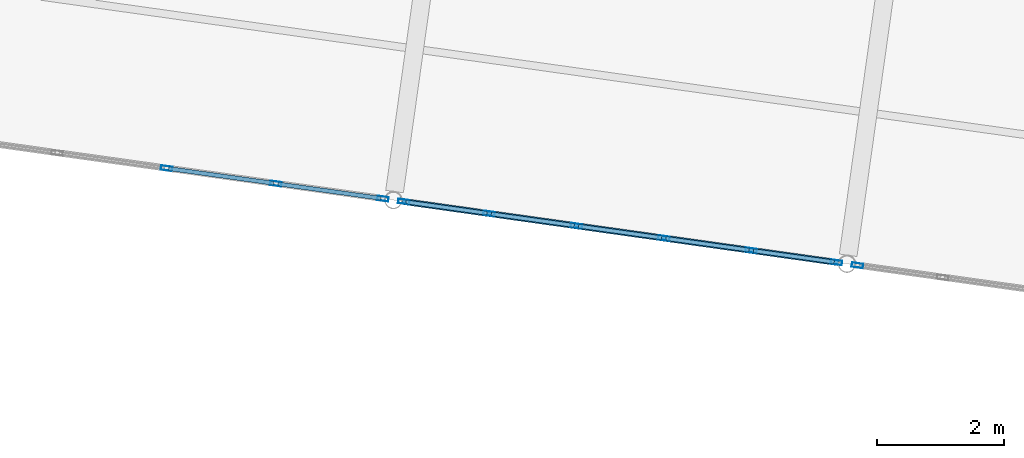
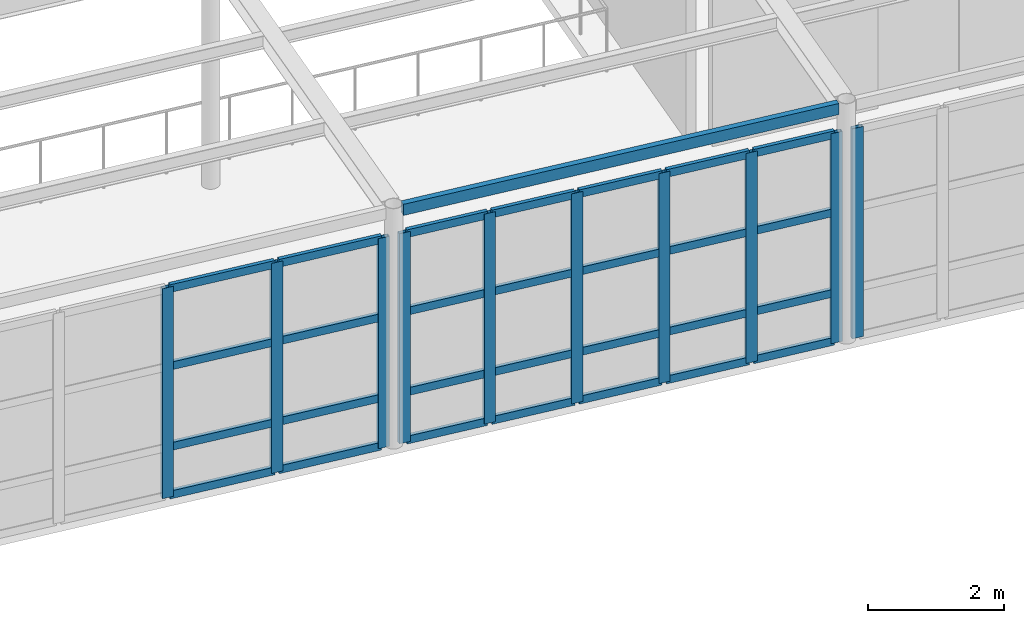
# One storey, part 20 of 67: 38 members, 1 beam, 3 elements without a shape of their own.
"""IFC4 building model written with IfcOpenShell, lengths in metres."""

from ifc_helpers import new_model, si_unit, direction, frame, origin, origin_2d, place, context, subcontext, project, spatial, hollow_rectangle, extrude, material, layer, layer_set, material_profile, profile_set, type_object, element, aggregate, save


model = new_model("IFC4")

# Units and contexts
model_context = context("Model", 3, precision=1e-05, world=origin(), true_north=direction((0.0, 1.0)))
body_context = subcontext(model_context, "Body", "Model", "MODEL_VIEW")
ifc_project = project(units=[si_unit("LENGTHUNIT", "METRE"), si_unit("AREAUNIT", "SQUARE_METRE"), si_unit("VOLUMEUNIT", "CUBIC_METRE"), si_unit("PLANEANGLEUNIT", "RADIAN"), si_unit("MASSUNIT", "GRAM", prefix="KILO")], contexts=[model_context])

# Site, building, storey
site_placement = place(None, origin())
site = spatial("IfcSite", under=ifc_project, at=site_placement, CompositionType="ELEMENT")
building_placement = place(site_placement, origin())
building = spatial("IfcBuilding", under=site, at=building_placement, Name="Kharisveld Research Institute", CompositionType="ELEMENT")
storey_placement = place(building_placement, frame((0.0, 0.0, 9.60009765625)))
storey = spatial("IfcBuildingStorey", under=building, at=storey_placement, Name="L02", CompositionType="ELEMENT", Elevation=9.60009765625)

# Curtain wall, member
ifc_material_1 = material(Name="Thermally Broken Aluminium Curtain Wall", Category="aluminium")
ifc_layer_1 = layer(ifc_material_1, 0.159912109375)
ifc_layer_set_1 = layer_set([ifc_layer_1], Name="CW_SYS_02")
curtain_wall_type_1 = type_object("IfcCurtainWallType", Name="CW_SYS_02", PredefinedType="NOTDEFINED", material=ifc_layer_set_1)
curtain_wall_1_placement = place(storey_placement, origin())
curtain_wall_1 = element("IfcCurtainWall", 1, at=curtain_wall_1_placement, inside=storey, type_object=curtain_wall_type_1, Name="CW:V4:L02:S4", PredefinedType="NOTDEFINED")
ifc_material_2 = material(Name="Anodised Aluminium AW-6063-T6", Category="aluminium")
ifc_material_profile_1 = material_profile(ifc_material_2, hollow_rectangle(XDim=0.070068359375, YDim=0.179931640625, WallThickness=0.00439453125, at=origin_2d()))
ifc_profile_set_1 = profile_set([ifc_material_profile_1], Name="Anodised Aluminium AW-6063-T6")
member_type_1 = type_object("IfcMemberType", Name="CW_MUL_180", PredefinedType="MULLION", material=ifc_profile_set_1)
member_1_placement = place(storey_placement, frame((96.5546875, 14.470703125, 0.0), z_axis=(0.0, 0.0, 1.0), x_axis=(-0.139173120957, -0.990268065931, 0.0)))
member_1 = element("IfcMember", 2, at=member_1_placement, type_object=member_type_1, Name="CW-02 mullion 6", PredefinedType="MULLION", context=body_context, shape_type="SweptSolid", body=[
    extrude(hollow_rectangle(XDim=0.070068359375, YDim=0.179931640625, WallThickness=0.00439453125, at=origin_2d()), origin(), (0.0, 0.0, 1.0), 3.77978515625),
])
aggregate(curtain_wall_1, [member_1])

# Curtain wall, members
ifc_material_3 = material(Name="Thermally Broken Aluminium Curtain Wall", Category="aluminium")
ifc_layer_2 = layer(ifc_material_3, 0.159912109375)
ifc_layer_set_2 = layer_set([ifc_layer_2], Name="CW_SYS_03")
curtain_wall_type_2 = type_object("IfcCurtainWallType", Name="CW_SYS_03", PredefinedType="NOTDEFINED", material=ifc_layer_set_2)
curtain_wall_2_placement = place(storey_placement, origin())
curtain_wall_2 = element("IfcCurtainWall", 3, at=curtain_wall_2_placement, inside=storey, type_object=curtain_wall_type_2, Name="CW:V4:L02:S3", PredefinedType="NOTDEFINED")
member_2_placement = place(storey_placement, frame((96.224853515625, 14.51708984375, 0.0), z_axis=(0.0, 0.0, 1.0), x_axis=(-0.139173120957, -0.990268065931, 0.0)))
member_2 = element("IfcMember", 4, at=member_2_placement, type_object=member_type_1, Name="CW-03 mullion 1", PredefinedType="MULLION", context=body_context, shape_type="SweptSolid", body=[
    extrude(hollow_rectangle(XDim=0.070068359375, YDim=0.179931640625, WallThickness=0.00439453125, at=origin_2d()), origin(), (0.0, 0.0, 1.0), 3.77978515625),
])
member_3_placement = place(storey_placement, frame((94.8857421875, 14.705322265625, 0.0), z_axis=(0.0, 0.0, 1.0), x_axis=(-0.139173120957, -0.990268065931, 0.0)))
member_3 = element("IfcMember", 5, at=member_3_placement, type_object=member_type_1, Name="CW-03 mullion 2", PredefinedType="MULLION", context=body_context, shape_type="SweptSolid", body=[
    extrude(hollow_rectangle(XDim=0.070068359375, YDim=0.179931640625, WallThickness=0.00439453125, at=origin_2d()), origin(), (0.0, 0.0, 1.0), 3.77978515625),
])
member_4_placement = place(storey_placement, frame((93.51171875, 14.8984375, 0.0), z_axis=(0.0, 0.0, 1.0), x_axis=(-0.139173120957, -0.990268065931, 0.0)))
member_4 = element("IfcMember", 6, at=member_4_placement, type_object=member_type_1, Name="CW-03 mullion 3", PredefinedType="MULLION", context=body_context, shape_type="SweptSolid", body=[
    extrude(hollow_rectangle(XDim=0.070068359375, YDim=0.179931640625, WallThickness=0.00439453125, at=origin_2d()), origin(), (0.0, 0.0, 1.0), 3.77978515625),
])
member_5_placement = place(storey_placement, frame((92.137939453125, 15.09130859375, 0.0), z_axis=(0.0, 0.0, 1.0), x_axis=(-0.139173120957, -0.990268065931, 0.0)))
member_5 = element("IfcMember", 7, at=member_5_placement, type_object=member_type_1, Name="CW-03 mullion 4", PredefinedType="MULLION", context=body_context, shape_type="SweptSolid", body=[
    extrude(hollow_rectangle(XDim=0.070068359375, YDim=0.179931640625, WallThickness=0.00439453125, at=origin_2d()), origin(), (0.0, 0.0, 1.0), 3.77978515625),
])
member_6_placement = place(storey_placement, frame((90.763916015625, 15.284423828125, 0.0), z_axis=(0.0, 0.0, 1.0), x_axis=(-0.139173120957, -0.990268065931, 0.0)))
member_6 = element("IfcMember", 8, at=member_6_placement, type_object=member_type_1, Name="CW-03 mullion 5", PredefinedType="MULLION", context=body_context, shape_type="SweptSolid", body=[
    extrude(hollow_rectangle(XDim=0.070068359375, YDim=0.179931640625, WallThickness=0.00439453125, at=origin_2d()), origin(), (0.0, 0.0, 1.0), 3.77978515625),
])
member_7_placement = place(storey_placement, frame((89.4248046875, 15.47265625, 0.0), z_axis=(0.0, 0.0, 1.0), x_axis=(-0.139173120957, -0.990268065931, 0.0)))
member_7 = element("IfcMember", 9, at=member_7_placement, type_object=member_type_1, Name="CW-03 mullion 6", PredefinedType="MULLION", context=body_context, shape_type="SweptSolid", body=[
    extrude(hollow_rectangle(XDim=0.070068359375, YDim=0.179931640625, WallThickness=0.00439453125, at=origin_2d()), origin(), (0.0, 0.0, 1.0), 3.77978515625),
])

ifc_material_4 = material(Name="Thermally Broken Aluminium Curtain Wall", Category="aluminium")
ifc_layer_3 = layer(ifc_material_4, 0.159912109375)
ifc_layer_set_3 = layer_set([ifc_layer_3], Name="CW_SYS_04")
curtain_wall_type_3 = type_object("IfcCurtainWallType", Name="CW_SYS_04", PredefinedType="NOTDEFINED", material=ifc_layer_set_3)
curtain_wall_3_placement = place(storey_placement, origin())
curtain_wall_3 = element("IfcCurtainWall", 10, at=curtain_wall_3_placement, inside=storey, type_object=curtain_wall_type_3, Name="CW:V4:L02:S2", PredefinedType="NOTDEFINED")
member_8_placement = place(storey_placement, frame((89.094970703125, 15.51904296875, 0.0), z_axis=(0.0, 0.0, 1.0), x_axis=(-0.139173262318, -0.990268046064, 0.0)))
member_8 = element("IfcMember", 11, at=member_8_placement, type_object=member_type_1, Name="CW-04 mullion 1", PredefinedType="MULLION", context=body_context, shape_type="SweptSolid", body=[
    extrude(hollow_rectangle(XDim=0.070068359375, YDim=0.179931640625, WallThickness=0.00439453125, at=origin_2d()), origin(), (0.0, 0.0, 1.0), 3.77978515625),
])
member_9_placement = place(storey_placement, frame((87.412353515625, 15.755615234375, 0.0), z_axis=(0.0, 0.0, 1.0), x_axis=(-0.139173262318, -0.990268046064, 0.0)))
member_9 = element("IfcMember", 12, at=member_9_placement, type_object=member_type_1, Name="CW-04 mullion 2", PredefinedType="MULLION", context=body_context, shape_type="SweptSolid", body=[
    extrude(hollow_rectangle(XDim=0.070068359375, YDim=0.179931640625, WallThickness=0.00439453125, at=origin_2d()), origin(), (0.0, 0.0, 1.0), 3.77978515625),
])
member_10_placement = place(storey_placement, frame((85.69482421875, 15.996826171875, 0.0), z_axis=(0.0, 0.0, 1.0), x_axis=(-0.139173262318, -0.990268046064, 0.0)))
member_10 = element("IfcMember", 13, at=member_10_placement, type_object=member_type_1, Name="CW-04 mullion 3", PredefinedType="MULLION", context=body_context, shape_type="SweptSolid", body=[
    extrude(hollow_rectangle(XDim=0.070068359375, YDim=0.179931640625, WallThickness=0.00439453125, at=origin_2d()), origin(), (0.0, 0.0, 1.0), 3.77978515625),
])

# Member
ifc_material_5 = material(Name="Anodised Aluminium AW-6063-T6", Category="aluminium")
ifc_material_profile_2 = material_profile(ifc_material_5, hollow_rectangle(XDim=0.06494140625, YDim=0.139892578125, WallThickness=0.00390625, at=origin_2d()))
ifc_profile_set_2 = profile_set([ifc_material_profile_2], Name="Anodised Aluminium AW-6063-T6")
member_type_2 = type_object("IfcMemberType", Name="CW_TRN_140", PredefinedType="USERDEFINED", material=ifc_profile_set_2)
member_11_placement = place(storey_placement, frame((96.190185546875, 14.52197265625, 0.032470703125), z_axis=(-0.99026683228, 0.139181898557, 0.0), x_axis=(-0.139181898557, -0.99026683228, 0.0)))
member_11 = element("IfcMember", 14, at=member_11_placement, type_object=member_type_2, Name="CW-03 transom 1.1", ObjectType="TRANSOM", PredefinedType="USERDEFINED", context=body_context, shape_type="SweptSolid", body=[
    extrude(hollow_rectangle(XDim=0.06494140625, YDim=0.139892578125, WallThickness=0.00390625, at=origin_2d()), origin(), (0.0, 0.0, 1.0), 1.2822265625),
])

member_12_placement = place(storey_placement, frame((96.190185546875, 14.52197265625, 0.89990234375), z_axis=(-0.99026683228, 0.139181898557, 0.0), x_axis=(-0.139181898557, -0.99026683228, 0.0)))
member_12 = element("IfcMember", 15, at=member_12_placement, type_object=member_type_2, Name="CW-03 transom 1.2", ObjectType="TRANSOM", PredefinedType="USERDEFINED", context=body_context, shape_type="SweptSolid", body=[
    extrude(hollow_rectangle(XDim=0.06494140625, YDim=0.139892578125, WallThickness=0.00390625, at=origin_2d()), origin(), (0.0, 0.0, 1.0), 1.2822265625),
])

member_13_placement = place(storey_placement, frame((96.190185546875, 14.52197265625, 2.349853515625), z_axis=(-0.99026683228, 0.139181898557, 0.0), x_axis=(-0.139181898557, -0.99026683228, 0.0)))
member_13 = element("IfcMember", 16, at=member_13_placement, type_object=member_type_2, Name="CW-03 transom 1.3", ObjectType="TRANSOM", PredefinedType="USERDEFINED", context=body_context, shape_type="SweptSolid", body=[
    extrude(hollow_rectangle(XDim=0.06494140625, YDim=0.139892578125, WallThickness=0.00390625, at=origin_2d()), origin(), (0.0, 0.0, 1.0), 1.2822265625),
])

member_14_placement = place(storey_placement, frame((96.190185546875, 14.52197265625, 3.747314453125), z_axis=(-0.99026683228, 0.139181898557, 0.0), x_axis=(-0.139181898557, -0.99026683228, 0.0)))
member_14 = element("IfcMember", 17, at=member_14_placement, type_object=member_type_2, Name="CW-03 transom 1.4", ObjectType="TRANSOM", PredefinedType="USERDEFINED", context=body_context, shape_type="SweptSolid", body=[
    extrude(hollow_rectangle(XDim=0.06494140625, YDim=0.139892578125, WallThickness=0.00390625, at=origin_2d()), origin(), (0.0, 0.0, 1.0), 1.2822265625),
])

member_15_placement = place(storey_placement, frame((94.85107421875, 14.710205078125, 0.032470703125), z_axis=(-0.990269351258, 0.139163975074, 0.0), x_axis=(-0.139163975074, -0.990269351258, 0.0)))
member_15 = element("IfcMember", 18, at=member_15_placement, type_object=member_type_2, Name="CW-03 transom 2.1", ObjectType="TRANSOM", PredefinedType="USERDEFINED", context=body_context, shape_type="SweptSolid", body=[
    extrude(hollow_rectangle(XDim=0.06494140625, YDim=0.139892578125, WallThickness=0.00390625, at=origin_2d()), origin(), (0.0, 0.0, 1.0), 1.317626953125),
])

member_16_placement = place(storey_placement, frame((94.85107421875, 14.710205078125, 0.89990234375), z_axis=(-0.990269351258, 0.139163975074, 0.0), x_axis=(-0.139163975074, -0.990269351258, 0.0)))
member_16 = element("IfcMember", 19, at=member_16_placement, type_object=member_type_2, Name="CW-03 transom 2.2", ObjectType="TRANSOM", PredefinedType="USERDEFINED", context=body_context, shape_type="SweptSolid", body=[
    extrude(hollow_rectangle(XDim=0.06494140625, YDim=0.139892578125, WallThickness=0.00390625, at=origin_2d()), origin(), (0.0, 0.0, 1.0), 1.317626953125),
])

member_17_placement = place(storey_placement, frame((94.85107421875, 14.710205078125, 2.349853515625), z_axis=(-0.990269351258, 0.139163975074, 0.0), x_axis=(-0.139163975074, -0.990269351258, 0.0)))
member_17 = element("IfcMember", 20, at=member_17_placement, type_object=member_type_2, Name="CW-03 transom 2.3", ObjectType="TRANSOM", PredefinedType="USERDEFINED", context=body_context, shape_type="SweptSolid", body=[
    extrude(hollow_rectangle(XDim=0.06494140625, YDim=0.139892578125, WallThickness=0.00390625, at=origin_2d()), origin(), (0.0, 0.0, 1.0), 1.317626953125),
])

member_18_placement = place(storey_placement, frame((94.85107421875, 14.710205078125, 3.747314453125), z_axis=(-0.990269351258, 0.139163975074, 0.0), x_axis=(-0.139163975074, -0.990269351258, 0.0)))
member_18 = element("IfcMember", 21, at=member_18_placement, type_object=member_type_2, Name="CW-03 transom 2.4", ObjectType="TRANSOM", PredefinedType="USERDEFINED", context=body_context, shape_type="SweptSolid", body=[
    extrude(hollow_rectangle(XDim=0.06494140625, YDim=0.139892578125, WallThickness=0.00390625, at=origin_2d()), origin(), (0.0, 0.0, 1.0), 1.317626953125),
])

member_19_placement = place(storey_placement, frame((93.47705078125, 14.9033203125, 0.032470703125), z_axis=(-0.990265761542, 0.139189516548, 0.0), x_axis=(-0.139189516548, -0.990265761542, 0.0)))
member_19 = element("IfcMember", 22, at=member_19_placement, type_object=member_type_2, Name="CW-03 transom 3.1", ObjectType="TRANSOM", PredefinedType="USERDEFINED", context=body_context, shape_type="SweptSolid", body=[
    extrude(hollow_rectangle(XDim=0.06494140625, YDim=0.139892578125, WallThickness=0.00390625, at=origin_2d()), origin(), (0.0, 0.0, 1.0), 1.3173828125),
])

member_20_placement = place(storey_placement, frame((93.47705078125, 14.9033203125, 0.89990234375), z_axis=(-0.990265761542, 0.139189516548, 0.0), x_axis=(-0.139189516548, -0.990265761542, 0.0)))
member_20 = element("IfcMember", 23, at=member_20_placement, type_object=member_type_2, Name="CW-03 transom 3.2", ObjectType="TRANSOM", PredefinedType="USERDEFINED", context=body_context, shape_type="SweptSolid", body=[
    extrude(hollow_rectangle(XDim=0.06494140625, YDim=0.139892578125, WallThickness=0.00390625, at=origin_2d()), origin(), (0.0, 0.0, 1.0), 1.3173828125),
])

member_21_placement = place(storey_placement, frame((93.47705078125, 14.9033203125, 2.349853515625), z_axis=(-0.990265761542, 0.139189516548, 0.0), x_axis=(-0.139189516548, -0.990265761542, 0.0)))
member_21 = element("IfcMember", 24, at=member_21_placement, type_object=member_type_2, Name="CW-03 transom 3.3", ObjectType="TRANSOM", PredefinedType="USERDEFINED", context=body_context, shape_type="SweptSolid", body=[
    extrude(hollow_rectangle(XDim=0.06494140625, YDim=0.139892578125, WallThickness=0.00390625, at=origin_2d()), origin(), (0.0, 0.0, 1.0), 1.3173828125),
])

member_22_placement = place(storey_placement, frame((93.47705078125, 14.9033203125, 3.747314453125), z_axis=(-0.990265761542, 0.139189516548, 0.0), x_axis=(-0.139189516548, -0.990265761542, 0.0)))
member_22 = element("IfcMember", 25, at=member_22_placement, type_object=member_type_2, Name="CW-03 transom 3.4", ObjectType="TRANSOM", PredefinedType="USERDEFINED", context=body_context, shape_type="SweptSolid", body=[
    extrude(hollow_rectangle(XDim=0.06494140625, YDim=0.139892578125, WallThickness=0.00390625, at=origin_2d()), origin(), (0.0, 0.0, 1.0), 1.3173828125),
])

member_23_placement = place(storey_placement, frame((92.103271484375, 15.09619140625, 0.032470703125), z_axis=(-0.990269351258, 0.139163975074, 0.0), x_axis=(-0.139163975074, -0.990269351258, 0.0)))
member_23 = element("IfcMember", 26, at=member_23_placement, type_object=member_type_2, Name="CW-03 transom 4.1", ObjectType="TRANSOM", PredefinedType="USERDEFINED", context=body_context, shape_type="SweptSolid", body=[
    extrude(hollow_rectangle(XDim=0.06494140625, YDim=0.139892578125, WallThickness=0.00390625, at=origin_2d()), origin(), (0.0, 0.0, 1.0), 1.317626953125),
])

member_24_placement = place(storey_placement, frame((92.103271484375, 15.09619140625, 0.89990234375), z_axis=(-0.990269351258, 0.139163975074, 0.0), x_axis=(-0.139163975074, -0.990269351258, 0.0)))
member_24 = element("IfcMember", 27, at=member_24_placement, type_object=member_type_2, Name="CW-03 transom 4.2", ObjectType="TRANSOM", PredefinedType="USERDEFINED", context=body_context, shape_type="SweptSolid", body=[
    extrude(hollow_rectangle(XDim=0.06494140625, YDim=0.139892578125, WallThickness=0.00390625, at=origin_2d()), origin(), (0.0, 0.0, 1.0), 1.317626953125),
])

member_25_placement = place(storey_placement, frame((92.103271484375, 15.09619140625, 2.349853515625), z_axis=(-0.990269351258, 0.139163975074, 0.0), x_axis=(-0.139163975074, -0.990269351258, 0.0)))
member_25 = element("IfcMember", 28, at=member_25_placement, type_object=member_type_2, Name="CW-03 transom 4.3", ObjectType="TRANSOM", PredefinedType="USERDEFINED", context=body_context, shape_type="SweptSolid", body=[
    extrude(hollow_rectangle(XDim=0.06494140625, YDim=0.139892578125, WallThickness=0.00390625, at=origin_2d()), origin(), (0.0, 0.0, 1.0), 1.317626953125),
])

member_26_placement = place(storey_placement, frame((92.103271484375, 15.09619140625, 3.747314453125), z_axis=(-0.990269351258, 0.139163975074, 0.0), x_axis=(-0.139163975074, -0.990269351258, 0.0)))
member_26 = element("IfcMember", 29, at=member_26_placement, type_object=member_type_2, Name="CW-03 transom 4.4", ObjectType="TRANSOM", PredefinedType="USERDEFINED", context=body_context, shape_type="SweptSolid", body=[
    extrude(hollow_rectangle(XDim=0.06494140625, YDim=0.139892578125, WallThickness=0.00390625, at=origin_2d()), origin(), (0.0, 0.0, 1.0), 1.317626953125),
])

member_27_placement = place(storey_placement, frame((90.729248046875, 15.289306640625, 0.032470703125), z_axis=(-0.99026683228, 0.139181898557, 0.0), x_axis=(-0.139181898557, -0.99026683228, 0.0)))
member_27 = element("IfcMember", 30, at=member_27_placement, type_object=member_type_2, Name="CW-03 transom 5.1", ObjectType="TRANSOM", PredefinedType="USERDEFINED", context=body_context, shape_type="SweptSolid", body=[
    extrude(hollow_rectangle(XDim=0.06494140625, YDim=0.139892578125, WallThickness=0.00390625, at=origin_2d()), origin(), (0.0, 0.0, 1.0), 1.2822265625),
])

member_28_placement = place(storey_placement, frame((90.729248046875, 15.289306640625, 0.89990234375), z_axis=(-0.99026683228, 0.139181898557, 0.0), x_axis=(-0.139181898557, -0.99026683228, 0.0)))
member_28 = element("IfcMember", 31, at=member_28_placement, type_object=member_type_2, Name="CW-03 transom 5.2", ObjectType="TRANSOM", PredefinedType="USERDEFINED", context=body_context, shape_type="SweptSolid", body=[
    extrude(hollow_rectangle(XDim=0.06494140625, YDim=0.139892578125, WallThickness=0.00390625, at=origin_2d()), origin(), (0.0, 0.0, 1.0), 1.2822265625),
])

member_29_placement = place(storey_placement, frame((90.729248046875, 15.289306640625, 2.349853515625), z_axis=(-0.99026683228, 0.139181898557, 0.0), x_axis=(-0.139181898557, -0.99026683228, 0.0)))
member_29 = element("IfcMember", 32, at=member_29_placement, type_object=member_type_2, Name="CW-03 transom 5.3", ObjectType="TRANSOM", PredefinedType="USERDEFINED", context=body_context, shape_type="SweptSolid", body=[
    extrude(hollow_rectangle(XDim=0.06494140625, YDim=0.139892578125, WallThickness=0.00390625, at=origin_2d()), origin(), (0.0, 0.0, 1.0), 1.2822265625),
])

member_30_placement = place(storey_placement, frame((90.729248046875, 15.289306640625, 3.747314453125), z_axis=(-0.99026683228, 0.139181898557, 0.0), x_axis=(-0.139181898557, -0.99026683228, 0.0)))
member_30 = element("IfcMember", 33, at=member_30_placement, type_object=member_type_2, Name="CW-03 transom 5.4", ObjectType="TRANSOM", PredefinedType="USERDEFINED", context=body_context, shape_type="SweptSolid", body=[
    extrude(hollow_rectangle(XDim=0.06494140625, YDim=0.139892578125, WallThickness=0.00390625, at=origin_2d()), origin(), (0.0, 0.0, 1.0), 1.2822265625),
])

aggregate(curtain_wall_2, [member_2, member_3, member_4, member_5, member_6, member_7, member_11, member_12, member_13, member_14, member_15, member_16, member_17, member_18, member_19, member_20, member_21, member_22, member_23, member_24, member_25, member_26, member_27, member_28, member_29, member_30])

member_31_placement = place(storey_placement, frame((89.060302734375, 15.52392578125, 0.032470703125), z_axis=(-0.990261744437, 0.139218093308, 0.0), x_axis=(-0.139218093308, -0.990261744437, 0.0)))
member_31 = element("IfcMember", 34, at=member_31_placement, type_object=member_type_2, Name="CW-04 transom 1.1", ObjectType="TRANSOM", PredefinedType="USERDEFINED", context=body_context, shape_type="SweptSolid", body=[
    extrude(hollow_rectangle(XDim=0.06494140625, YDim=0.139892578125, WallThickness=0.00390625, at=origin_2d()), origin(), (0.0, 0.0, 1.0), 1.629150390625),
])

member_32_placement = place(storey_placement, frame((89.060302734375, 15.52392578125, 0.89990234375), z_axis=(-0.990261744437, 0.139218093308, 0.0), x_axis=(-0.139218093308, -0.990261744437, 0.0)))
member_32 = element("IfcMember", 35, at=member_32_placement, type_object=member_type_2, Name="CW-04 transom 1.2", ObjectType="TRANSOM", PredefinedType="USERDEFINED", context=body_context, shape_type="SweptSolid", body=[
    extrude(hollow_rectangle(XDim=0.06494140625, YDim=0.139892578125, WallThickness=0.00390625, at=origin_2d()), origin(), (0.0, 0.0, 1.0), 1.629150390625),
])

member_33_placement = place(storey_placement, frame((89.060302734375, 15.52392578125, 2.349853515625), z_axis=(-0.990261744437, 0.139218093308, 0.0), x_axis=(-0.139218093308, -0.990261744437, 0.0)))
member_33 = element("IfcMember", 36, at=member_33_placement, type_object=member_type_2, Name="CW-04 transom 1.3", ObjectType="TRANSOM", PredefinedType="USERDEFINED", context=body_context, shape_type="SweptSolid", body=[
    extrude(hollow_rectangle(XDim=0.06494140625, YDim=0.139892578125, WallThickness=0.00390625, at=origin_2d()), origin(), (0.0, 0.0, 1.0), 1.629150390625),
])

member_34_placement = place(storey_placement, frame((89.060302734375, 15.52392578125, 3.747314453125), z_axis=(-0.990261744437, 0.139218093308, 0.0), x_axis=(-0.139218093308, -0.990261744437, 0.0)))
member_34 = element("IfcMember", 37, at=member_34_placement, type_object=member_type_2, Name="CW-04 transom 1.4", ObjectType="TRANSOM", PredefinedType="USERDEFINED", context=body_context, shape_type="SweptSolid", body=[
    extrude(hollow_rectangle(XDim=0.06494140625, YDim=0.139892578125, WallThickness=0.00390625, at=origin_2d()), origin(), (0.0, 0.0, 1.0), 1.629150390625),
])

member_35_placement = place(storey_placement, frame((87.377685546875, 15.760498046875, 0.032470703125), z_axis=(-0.990284056764, 0.139059292818, 0.0), x_axis=(-0.139059292818, -0.990284056764, 0.0)))
member_35 = element("IfcMember", 38, at=member_35_placement, type_object=member_type_2, Name="CW-04 transom 2.1", ObjectType="TRANSOM", PredefinedType="USERDEFINED", context=body_context, shape_type="SweptSolid", body=[
    extrude(hollow_rectangle(XDim=0.06494140625, YDim=0.139892578125, WallThickness=0.00390625, at=origin_2d()), origin(), (0.0, 0.0, 1.0), 1.664306640625),
])

member_36_placement = place(storey_placement, frame((87.377685546875, 15.760498046875, 0.89990234375), z_axis=(-0.990284056764, 0.139059292818, 0.0), x_axis=(-0.139059292818, -0.990284056764, 0.0)))
member_36 = element("IfcMember", 39, at=member_36_placement, type_object=member_type_2, Name="CW-04 transom 2.2", ObjectType="TRANSOM", PredefinedType="USERDEFINED", context=body_context, shape_type="SweptSolid", body=[
    extrude(hollow_rectangle(XDim=0.06494140625, YDim=0.139892578125, WallThickness=0.00390625, at=origin_2d()), origin(), (0.0, 0.0, 1.0), 1.664306640625),
])

member_37_placement = place(storey_placement, frame((87.377685546875, 15.760498046875, 2.349853515625), z_axis=(-0.990284056764, 0.139059292818, 0.0), x_axis=(-0.139059292818, -0.990284056764, 0.0)))
member_37 = element("IfcMember", 40, at=member_37_placement, type_object=member_type_2, Name="CW-04 transom 2.3", ObjectType="TRANSOM", PredefinedType="USERDEFINED", context=body_context, shape_type="SweptSolid", body=[
    extrude(hollow_rectangle(XDim=0.06494140625, YDim=0.139892578125, WallThickness=0.00390625, at=origin_2d()), origin(), (0.0, 0.0, 1.0), 1.664306640625),
])

member_38_placement = place(storey_placement, frame((87.377685546875, 15.760498046875, 3.747314453125), z_axis=(-0.990284056764, 0.139059292818, 0.0), x_axis=(-0.139059292818, -0.990284056764, 0.0)))
member_38 = element("IfcMember", 41, at=member_38_placement, type_object=member_type_2, Name="CW-04 transom 2.4", ObjectType="TRANSOM", PredefinedType="USERDEFINED", context=body_context, shape_type="SweptSolid", body=[
    extrude(hollow_rectangle(XDim=0.06494140625, YDim=0.139892578125, WallThickness=0.00390625, at=origin_2d()), origin(), (0.0, 0.0, 1.0), 1.664306640625),
])

aggregate(curtain_wall_3, [member_8, member_9, member_10, member_31, member_32, member_33, member_34, member_35, member_36, member_37, member_38])

# Beam
ifc_material_6 = material(Name="Steel S355J2H", Category="steel")
ifc_material_profile_3 = material_profile(ifc_material_6, hollow_rectangle(XDim=0.10009765625, YDim=0.199951171875, WallThickness=0.008056640625, at=origin_2d()))
ifc_profile_set_3 = profile_set([ifc_material_profile_3], Name="Steel S355J2H")
beam_type = type_object("IfcBeamType", Name="SP_ST_RHS200", PredefinedType="SPANDREL", material=ifc_profile_set_3)
beam_placement = place(storey_placement, frame((89.39501953125, 15.476806640625, 4.204833984375), z_axis=(0.990271836897, -0.13914628651, 0.0), x_axis=(0.13914628651, 0.990271836897, 0.0)))
element("IfcBeam", 42, at=beam_placement, inside=storey, type_object=beam_type, Name="BM:V4:L02:U2_0", PredefinedType="SPANDREL", context=body_context, shape_type="SweptSolid", body=[
    extrude(hollow_rectangle(XDim=0.10009765625, YDim=0.199951171875, WallThickness=0.008056640625, at=origin_2d()), origin(), (0.0, 0.0, 1.0), 6.927001953125),
])

save(model, "model.ifc")
